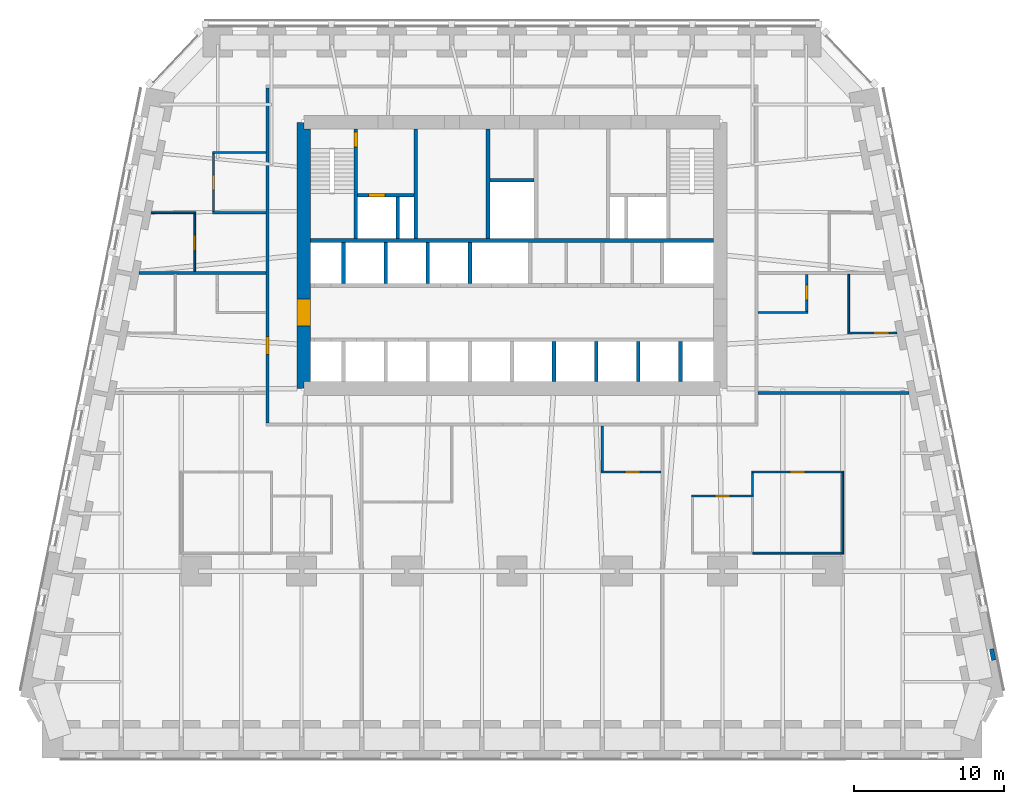
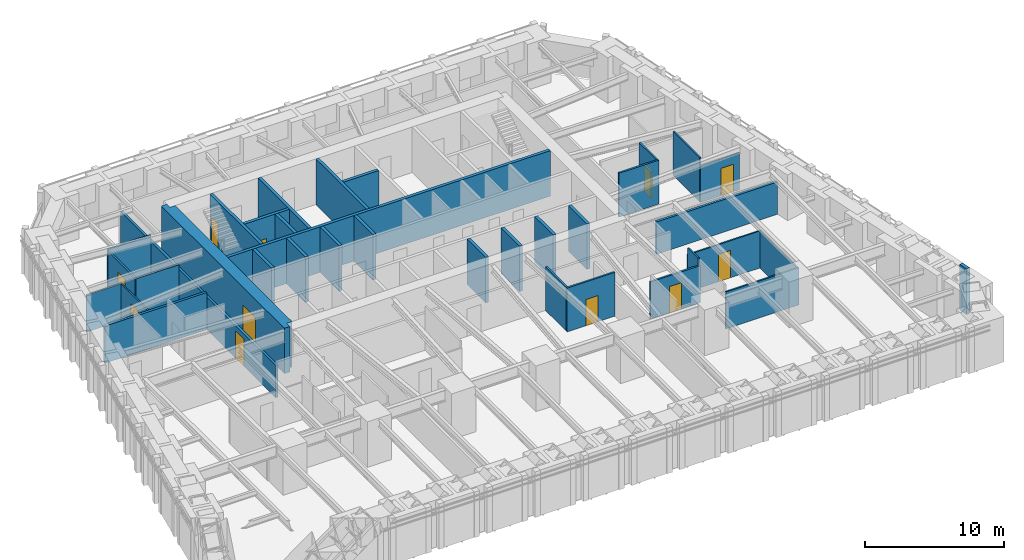
# One storey, part 13 of 16: 36 walls, 11 doors, 11 openings.
"""IFC4 building model written with IfcOpenShell, lengths in metres."""

from ifc_helpers import new_model, si_unit, direction, frame, frame_2d, origin, place, context, subcontext, project, spatial, polyline, rectangle, outline, extrude, material, layer, layer_set, type_object, element, fill, save


model = new_model("IFC4")

# Units and contexts
model_context = context("Model", 3, precision=1e-05, world=origin(), true_north=direction((0.0, 1.0)))
body_context = subcontext(model_context, "Body", "Model", "MODEL_VIEW")
ifc_project = project(units=[si_unit("LENGTHUNIT", "METRE"), si_unit("AREAUNIT", "SQUARE_METRE"), si_unit("VOLUMEUNIT", "CUBIC_METRE"), si_unit("PLANEANGLEUNIT", "RADIAN"), si_unit("MASSUNIT", "GRAM", prefix="KILO")], contexts=[model_context])

# Site, building, storey
site_placement = place(None, origin())
site = spatial("IfcSite", under=ifc_project, at=site_placement, CompositionType="ELEMENT")
building_placement = place(site_placement, origin())
building = spatial("IfcBuilding", under=site, at=building_placement, Name="Isbrekke Arena Tower", CompositionType="ELEMENT")
storey_placement = place(building_placement, frame((0.0, 0.0, 44.0)))
storey = spatial("IfcBuildingStorey", under=building, at=storey_placement, Name="L08", CompositionType="ELEMENT", Elevation=44.0)

# Wall, opening, door
ifc_material_1 = material(Name="Concrete B65 (C65/80)", Category="concrete")
ifc_layer_1 = layer(ifc_material_1, 0.89990234375)
ifc_layer_set_1 = layer_set([ifc_layer_1], Name="CW2 CORE WALL 900")
wall_type_1 = type_object("IfcWallType", Name="CW2 CORE WALL 900", PredefinedType="SHEAR", material=ifc_layer_set_1)
wall_1_placement = place(storey_placement, frame((-13.85009765625, 23.85009765625, 0.0), z_axis=(0.0, 0.0, 1.0), x_axis=(0.0, -1.0, 0.0)))
wall_1 = element("IfcWall", 1, at=wall_1_placement, inside=storey, type_object=wall_type_1, Name="Core wall W L08", PredefinedType="SHEAR", context=body_context, shape_type="SweptSolid", body=[
    extrude(outline(polyline([(0.0, -0.449951171875), (17.7001953125, -0.449951171875), (17.7001953125, 0.0), (17.250244140625, 0.0), (17.250244140625, 0.449951171875), (0.449951171875, 0.449951171875), (0.449951171875, 0.0), (0.0, 0.0), (0.0, -0.449951171875)])), origin(), (0.0, 0.0, 1.0), 4.0),
])
opening_1_placement = place(wall_1_placement, frame((11.75, 0.0, 0.0)))
opening_1 = element("IfcOpeningElement", 2, at=opening_1_placement, cuts=wall_1, Name="Opening D1", PredefinedType="OPENING", context=body_context, shape_type="SweptSolid", body=[
    extrude(rectangle(XDim=1.800048828125, YDim=2.39990234375, at=frame_2d((0.89990234375, 1.199951171875))), frame((0.0, 0.46484375, 0.0), z_axis=(0.0, -1.0, 0.0), x_axis=(1.0, 0.0, 0.0)), (0.0, 0.0, 1.0), 0.9296875),
])
ifc_material_2 = material(Name="Steel-framed glazed fire door", Category="steel")
door_type_1 = type_object("IfcDoorType", Name="D1 CORE LOBBY DOOR 1800 x 2400", OperationType="DOUBLE_DOOR_SINGLE_SWING", PredefinedType="DOOR", material=ifc_material_2)
door_1_placement = place(opening_1_placement, origin())
door_1 = element("IfcDoor", 3, at=door_1_placement, inside=storey, type_object=door_type_1, Name="D1 lift lobby door west L08", OperationType="DOUBLE_DOOR_SINGLE_SWING", OverallHeight=2.39990234375, OverallWidth=1.800048828125, PredefinedType="DOOR", context=body_context, shape_type="SweptSolid", body=[
    extrude(rectangle(XDim=1.800048828125, YDim=2.39990234375, at=frame_2d((0.89990234375, 1.199951171875))), frame((0.0, 0.44970703125, 0.0), z_axis=(0.0, -1.0, 0.0), x_axis=(1.0, 0.0, 0.0)), (0.0, 0.0, 1.0), 0.8994140625),
])
fill(opening_1, door_1)

# Walls
ifc_material_3 = material(Name="Concrete B45 (C45/55)", Category="concrete")
ifc_layer_2 = layer(ifc_material_3, 0.25)
ifc_layer_set_2 = layer_set([ifc_layer_2], Name="CW6 SHAFT WALL 250")
wall_type_2 = type_object("IfcWallType", Name="CW6 SHAFT WALL 250", PredefinedType="SHEAR", material=ifc_layer_set_2)
wall_2_placement = place(storey_placement, frame((-13.39990234375, 16.0, 0.0), z_axis=(0.0, 0.0, 1.0), x_axis=(1.0, 0.0, 0.0)))
element("IfcWall", 4, at=wall_2_placement, inside=storey, type_object=wall_type_2, Name="Core wall NB L08", PredefinedType="SHEAR", context=body_context, shape_type="SweptSolid", body=[
    extrude(rectangle(XDim=26.7998046875, YDim=0.25, at=frame_2d((13.39990234375, 0.0))), origin(), (0.0, 0.0, 1.0), 4.0),
])
for number, where, z_axis, x_axis, name in (
    (5, (2.800048828125, 6.60009765625, 0.0), (0.0, 0.0, 1.0), (0.0, 1.0, 0.0), "Core wall SS06 L08"),
    (6, (5.60009765625, 6.60009765625, 0.0), (0.0, 0.0, 1.0), (0.0, 1.0, 0.0), "Core wall SS07 L08"),
    (7, (8.39990234375, 6.60009765625, 0.0), (0.0, 0.0, 1.0), (0.0, 1.0, 0.0), "Core wall SS08 L08"),
    (8, (11.199951171875, 6.60009765625, 0.0), (0.0, 0.0, 1.0), (0.0, 1.0, 0.0), "Core wall SS09 L08"),
):
    element("IfcWall", number, at=place(storey_placement, frame(where, z_axis=z_axis, x_axis=x_axis)), inside=storey, type_object=wall_type_2, Name=name, PredefinedType="SHEAR", context=body_context, shape_type="SweptSolid", body=[
        extrude(rectangle(XDim=2.6748046875, YDim=0.25, at=frame_2d((1.33740234375, 0.0))), origin(), (0.0, 0.0, 1.0), 4.0),
    ])
for number, where, z_axis, x_axis, name in (
    (9, (-11.199951171875, 13.125, 0.0), (0.0, 0.0, 1.0), (0.0, 1.0, 0.0), "Core wall SN01 L08"),
    (10, (-8.39990234375, 13.125, 0.0), (0.0, 0.0, 1.0), (0.0, 1.0, 0.0), "Core wall SN02 L08"),
    (11, (-5.60009765625, 13.125, 0.0), (0.0, 0.0, 1.0), (0.0, 1.0, 0.0), "Core wall SN03 L08"),
    (12, (-2.800048828125, 13.125, 0.0), (0.0, 0.0, 1.0), (0.0, 1.0, 0.0), "Core wall SN04 L08"),
):
    element("IfcWall", number, at=place(storey_placement, frame(where, z_axis=z_axis, x_axis=x_axis)), inside=storey, type_object=wall_type_2, Name=name, PredefinedType="SHEAR", context=body_context, shape_type="SweptSolid", body=[
        extrude(rectangle(XDim=2.75, YDim=0.25, at=frame_2d((1.375, 0.0))), origin(), (0.0, 0.0, 1.0), 4.0),
    ])

# Wall, opening, door
wall_3_placement = place(storey_placement, frame((-10.39990234375, 16.125, 0.0), z_axis=(0.0, 0.0, 1.0), x_axis=(0.0, 1.0, 0.0)))
wall_3 = element("IfcWall", 13, at=wall_3_placement, inside=storey, type_object=wall_type_2, Name="Core wall NV01 L08", PredefinedType="SHEAR", context=body_context, shape_type="SweptSolid", body=[
    extrude(rectangle(XDim=7.27490234375, YDim=0.25, at=frame_2d((3.637451171875, 0.0))), origin(), (0.0, 0.0, 1.0), 4.0),
])
opening_2_placement = place(wall_3_placement, frame((6.074951171875, 0.0, 0.0)))
opening_2 = element("IfcOpeningElement", 14, at=opening_2_placement, cuts=wall_3, Name="Opening D2", PredefinedType="OPENING", context=body_context, shape_type="SweptSolid", body=[
    extrude(rectangle(XDim=1.0, YDim=2.10009765625, at=frame_2d((0.5, 1.050048828125))), frame((0.0, 0.139892578125, 0.0), z_axis=(0.0, -1.0, 0.0), x_axis=(1.0, 0.0, 0.0)), (0.0, 0.0, 1.0), 0.27978515625),
])
ifc_material_4 = material(Name="Steel fire door", Category="steel")
door_type_2 = type_object("IfcDoorType", Name="D2 STAIR DOOR 1000 x 2100", OperationType="SINGLE_SWING_LEFT", PredefinedType="DOOR", material=ifc_material_4)
door_2_placement = place(opening_2_placement, origin())
door_2 = element("IfcDoor", 15, at=door_2_placement, inside=storey, type_object=door_type_2, Name="D2 stair door ST1 L08", OperationType="SINGLE_SWING_LEFT", OverallHeight=2.10009765625, OverallWidth=1.0, PredefinedType="DOOR", context=body_context, shape_type="SweptSolid", body=[
    extrude(rectangle(XDim=1.0, YDim=2.10009765625, at=frame_2d((0.5, 1.050048828125))), frame((0.0, 0.124755859375, 0.0), z_axis=(0.0, -1.0, 0.0), x_axis=(1.0, 0.0, 0.0)), (0.0, 0.0, 1.0), 0.24951171875),
])
fill(opening_2, door_2)

# Walls
for number, where, z_axis, x_axis, name in (
    (16, (-6.39990234375, 16.125, 0.0), (0.0, 0.0, 1.0), (0.0, 1.0, 0.0), "Core wall NV02 L08"),
    (17, (-1.60009765625, 16.125, 0.0), (0.0, 0.0, 1.0), (0.0, 1.0, 0.0), "Core wall NV03 L08"),
):
    element("IfcWall", number, at=place(storey_placement, frame(where, z_axis=z_axis, x_axis=x_axis)), inside=storey, type_object=wall_type_2, Name=name, PredefinedType="SHEAR", context=body_context, shape_type="SweptSolid", body=[
        extrude(rectangle(XDim=7.27490234375, YDim=0.25, at=frame_2d((3.637451171875, 0.0))), origin(), (0.0, 0.0, 1.0), 4.0),
    ])

# Wall, opening, door
wall_4_placement = place(storey_placement, frame((-10.27490234375, 19.0, 0.0), z_axis=(0.0, 0.0, 1.0), x_axis=(1.0, 0.0, 0.0)))
wall_4 = element("IfcWall", 18, at=wall_4_placement, inside=storey, type_object=wall_type_2, Name="Core wall NFW L08", PredefinedType="SHEAR", context=body_context, shape_type="SweptSolid", body=[
    extrude(rectangle(XDim=3.75, YDim=0.25, at=frame_2d((1.875, 0.0))), origin(), (0.0, 0.0, 1.0), 4.0),
])
opening_3_placement = place(wall_4_placement, frame((0.72509765625, 0.0, 0.0)))
opening_3 = element("IfcOpeningElement", 19, at=opening_3_placement, cuts=wall_4, Name="Opening LD2", PredefinedType="OPENING", context=body_context, shape_type="SweptSolid", body=[
    extrude(rectangle(XDim=1.10009765625, YDim=2.10009765625, at=frame_2d((0.550048828125, 1.050048828125))), frame((0.0, 0.139892578125, 0.0), z_axis=(0.0, -1.0, 0.0), x_axis=(1.0, 0.0, 0.0)), (0.0, 0.0, 1.0), 0.27978515625),
])
ifc_material_5 = material(Name="Stainless steel lift landing door", Category="steel")
door_type_3 = type_object("IfcDoorType", Name="LD2 FIRE-FIGHTING LIFT LANDING DOOR 1100 x 2100", OperationType="SLIDING_TO_RIGHT", PredefinedType="DOOR", material=ifc_material_5)
door_3_placement = place(opening_3_placement, origin())
door_3 = element("IfcDoor", 20, at=door_3_placement, inside=storey, type_object=door_type_3, Name="LD2 lift landing door LF L08", OperationType="SLIDING_TO_RIGHT", OverallHeight=2.10009765625, OverallWidth=1.10009765625, PredefinedType="DOOR", context=body_context, shape_type="SweptSolid", body=[
    extrude(rectangle(XDim=1.10009765625, YDim=2.10009765625, at=frame_2d((0.550048828125, 1.050048828125))), frame((0.0, 0.124755859375, 0.0), z_axis=(0.0, -1.0, 0.0), x_axis=(1.0, 0.0, 0.0)), (0.0, 0.0, 1.0), 0.24951171875),
])
fill(opening_3, door_3)

# Walls
wall_5_placement = place(storey_placement, frame((-7.60009765625, 16.125, 0.0), z_axis=(0.0, 0.0, 1.0), x_axis=(0.0, 1.0, 0.0)))
element("IfcWall", 21, at=wall_5_placement, inside=storey, type_object=wall_type_2, Name="Core wall NFS1 L08", PredefinedType="SHEAR", context=body_context, shape_type="SweptSolid", body=[
    extrude(rectangle(XDim=2.75, YDim=0.25, at=frame_2d((1.375, 0.0))), origin(), (0.0, 0.0, 1.0), 4.0),
])
wall_6_placement = place(storey_placement, frame((-1.47509765625, 20.0, 0.0), z_axis=(0.0, 0.0, 1.0), x_axis=(1.0, 0.0, 0.0)))
element("IfcWall", 22, at=wall_6_placement, inside=storey, type_object=wall_type_2, Name="Core wall NWC L08", PredefinedType="SHEAR", context=body_context, shape_type="SweptSolid", body=[
    extrude(rectangle(XDim=2.9501953125, YDim=0.25, at=frame_2d((1.47509765625, 0.0))), origin(), (0.0, 0.0, 1.0), 4.0),
])
ifc_material_6 = material(Name="Insulated aluminium panel on steel framing", Category="steel")
ifc_layer_3 = layer(ifc_material_6, 0.300048828125)
ifc_layer_set_3 = layer_set([ifc_layer_3], Name="EW4 INSULATED PANEL WALL 300")
wall_type_3 = type_object("IfcWallType", Name="EW4 INSULATED PANEL WALL 300", PredefinedType="SOLIDWALL", material=ifc_layer_set_3)
wall_7_placement = place(storey_placement, frame((32.0380859375, -11.916259765625, 0.0), z_axis=(0.0, 0.0, 1.0), x_axis=(-0.195867092459, 0.980630451338, 0.0)))
element("IfcWall", 23, at=wall_7_placement, inside=storey, type_object=wall_type_3, Name="EW4 closure panel L08-E 1", PredefinedType="SOLIDWALL", context=body_context, shape_type="SweptSolid", body=[
    extrude(rectangle(XDim=0.754150390625, YDim=0.300048828125, at=frame_2d((0.376953125, 0.0))), origin(), (0.0, 0.0, 1.0), 4.0),
])

# Wall, opening, door
ifc_material_7 = material(Name="Gypsum board partition on steel studs", Category="steel")
ifc_layer_4 = layer(ifc_material_7, 0.14990234375)
ifc_layer_set_4 = layer_set([ifc_layer_4], Name="IW1 PARTITION 150")
wall_type_4 = type_object("IfcWallType", Name="IW1 PARTITION 150", PredefinedType="PARTITIONING", material=ifc_layer_set_4)
wall_8_placement = place(storey_placement, frame((11.925048828125, -1.0, 0.0), z_axis=(0.0, 0.0, 1.0), x_axis=(1.0, 0.0, 0.0)))
wall_8 = element("IfcWall", 24, at=wall_8_placement, inside=storey, type_object=wall_type_4, Name="IW1 partition 150 L08", PredefinedType="PARTITIONING", context=body_context, shape_type="SweptSolid", body=[
    extrude(rectangle(XDim=4.135009765625, YDim=0.14990234375, at=frame_2d((2.0673828125, 0.0))), origin(), (0.0, 0.0, 1.0), 3.25),
])
opening_4_placement = place(wall_8_placement, frame((1.574951171875, 0.0, 0.0)))
opening_4 = element("IfcOpeningElement", 25, at=opening_4_placement, cuts=wall_8, Name="Opening D10", PredefinedType="OPENING", context=body_context, shape_type="SweptSolid", body=[
    extrude(rectangle(XDim=1.0, YDim=2.300048828125, at=frame_2d((0.5, 1.14990234375))), frame((0.0, 0.08984375, 0.0), z_axis=(0.0, -1.0, 0.0), x_axis=(1.0, 0.0, 0.0)), (0.0, 0.0, 1.0), 0.1796875),
])
ifc_material_8 = material(Name="Timber door", Category="wood")
door_type_4 = type_object("IfcDoorType", Name="D10 OFFICE DOOR 1000 x 2300", OperationType="SINGLE_SWING_LEFT", PredefinedType="DOOR", material=ifc_material_8)
door_4_placement = place(opening_4_placement, origin())
door_4 = element("IfcDoor", 26, at=door_4_placement, inside=storey, type_object=door_type_4, Name="D10 tea point door L08", OperationType="SINGLE_SWING_LEFT", OverallHeight=2.300048828125, OverallWidth=1.0, PredefinedType="DOOR", context=body_context, shape_type="SweptSolid", body=[
    extrude(rectangle(XDim=1.0, YDim=2.300048828125, at=frame_2d((0.5, 1.14990234375))), frame((0.0, 0.07470703125, 0.0), z_axis=(0.0, -1.0, 0.0), x_axis=(1.0, 0.0, 0.0)), (0.0, 0.0, 1.0), 0.1494140625),
])
fill(opening_4, door_4)

wall_9_placement = place(storey_placement, frame((5.925048828125, 0.60009765625, 0.0), z_axis=(0.0, 0.0, 1.0), x_axis=(1.0, 0.0, 0.0)))
wall_9 = element("IfcWall", 27, at=wall_9_placement, inside=storey, type_object=wall_type_4, Name="IW1 partition 150 L08", PredefinedType="PARTITIONING", context=body_context, shape_type="SweptSolid", body=[
    extrude(rectangle(XDim=3.974853515625, YDim=0.14990234375, at=frame_2d((1.9873046875, 0.0))), origin(), (0.0, 0.0, 1.0), 3.85009765625),
])
opening_5_placement = place(wall_9_placement, frame((1.574951171875, 0.0, 0.0)))
opening_5 = element("IfcOpeningElement", 28, at=opening_5_placement, cuts=wall_9, Name="Opening D10", PredefinedType="OPENING", context=body_context, shape_type="SweptSolid", body=[
    extrude(rectangle(XDim=1.0, YDim=2.300048828125, at=frame_2d((0.5, 1.14990234375))), frame((0.0, 0.08984375, 0.0), z_axis=(0.0, -1.0, 0.0), x_axis=(1.0, 0.0, 0.0)), (0.0, 0.0, 1.0), 0.1796875),
])
door_5_placement = place(opening_5_placement, origin())
door_5 = element("IfcDoor", 29, at=door_5_placement, inside=storey, type_object=door_type_4, Name="D10 tea point door L08", OperationType="SINGLE_SWING_LEFT", OverallHeight=2.300048828125, OverallWidth=1.0, PredefinedType="DOOR", context=body_context, shape_type="SweptSolid", body=[
    extrude(rectangle(XDim=1.0, YDim=2.300048828125, at=frame_2d((0.5, 1.14990234375))), frame((0.0, 0.07470703125, 0.0), z_axis=(0.0, -1.0, 0.0), x_axis=(1.0, 0.0, 0.0)), (0.0, 0.0, 1.0), 0.1494140625),
])
fill(opening_5, door_5)

# Walls
wall_10_placement = place(storey_placement, frame((16.35009765625, 11.199951171875, 0.0), z_axis=(0.0, 0.0, 1.0), x_axis=(1.0, 0.0, 0.0)))
element("IfcWall", 30, at=wall_10_placement, inside=storey, type_object=wall_type_4, Name="IW1 partition 150 L08", PredefinedType="PARTITIONING", context=body_context, shape_type="SweptSolid", body=[
    extrude(rectangle(XDim=3.324951171875, YDim=0.14990234375, at=frame_2d((1.66259765625, 0.0))), origin(), (0.0, 0.0, 1.0), 3.85009765625),
])
wall_11_placement = place(storey_placement, frame((-19.925048828125, 17.840087890625, 0.0), z_axis=(0.0, 0.0, 1.0), x_axis=(1.0, 0.0, 0.0)))
element("IfcWall", 31, at=wall_11_placement, inside=storey, type_object=wall_type_4, Name="IW1 partition 150 L08", PredefinedType="PARTITIONING", context=body_context, shape_type="SweptSolid", body=[
    extrude(rectangle(XDim=3.574951171875, YDim=0.14990234375, at=frame_2d((1.78759765625, 0.0))), origin(), (0.0, 0.0, 1.0), 3.25),
])
wall_12_placement = place(storey_placement, frame((-19.925048828125, 21.840087890625, 0.0), z_axis=(0.0, 0.0, 1.0), x_axis=(1.0, 0.0, 0.0)))
element("IfcWall", 32, at=wall_12_placement, inside=storey, type_object=wall_type_4, Name="IW1 partition 150 L08", PredefinedType="PARTITIONING", context=body_context, shape_type="SweptSolid", body=[
    extrude(rectangle(XDim=3.574951171875, YDim=0.14990234375, at=frame_2d((1.78759765625, 0.0))), origin(), (0.0, 0.0, 1.0), 3.39990234375),
])

# Wall, opening, door
wall_13_placement = place(storey_placement, frame((-19.85009765625, 17.9150390625, 0.0), z_axis=(0.0, 0.0, 1.0), x_axis=(0.0, 1.0, 0.0)))
wall_13 = element("IfcWall", 33, at=wall_13_placement, inside=storey, type_object=wall_type_4, Name="IW1 partition 150 L08", PredefinedType="PARTITIONING", context=body_context, shape_type="SweptSolid", body=[
    extrude(rectangle(XDim=3.849853515625, YDim=0.14990234375, at=frame_2d((1.9248046875, 0.0))), origin(), (0.0, 0.0, 1.0), 3.25),
])
opening_6_placement = place(wall_13_placement, frame((1.425048828125, 0.0, 0.0)))
opening_6 = element("IfcOpeningElement", 34, at=opening_6_placement, cuts=wall_13, Name="Opening D10", PredefinedType="OPENING", context=body_context, shape_type="SweptSolid", body=[
    extrude(rectangle(XDim=1.0, YDim=2.300048828125, at=frame_2d((0.5, 1.14990234375))), frame((0.0, 0.08984375, 0.0), z_axis=(0.0, -1.0, 0.0), x_axis=(1.0, 0.0, 0.0)), (0.0, 0.0, 1.0), 0.1796875),
])
door_6_placement = place(opening_6_placement, origin())
door_6 = element("IfcDoor", 35, at=door_6_placement, inside=storey, type_object=door_type_4, Name="D10 tea point door L08", OperationType="SINGLE_SWING_LEFT", OverallHeight=2.300048828125, OverallWidth=1.0, PredefinedType="DOOR", context=body_context, shape_type="SweptSolid", body=[
    extrude(rectangle(XDim=1.0, YDim=2.300048828125, at=frame_2d((0.5, 1.14990234375))), frame((0.0, 0.07470703125, 0.0), z_axis=(0.0, -1.0, 0.0), x_axis=(1.0, 0.0, 0.0)), (0.0, 0.0, 1.0), 0.1494140625),
])
fill(opening_6, door_6)

# Wall
wall_14_placement = place(storey_placement, frame((6.0, 0.675048828125, 0.0), z_axis=(0.0, 0.0, 1.0), x_axis=(0.0, 1.0, 0.0)))
element("IfcWall", 36, at=wall_14_placement, inside=storey, type_object=wall_type_4, Name="IW1 partition 150 L08", PredefinedType="PARTITIONING", context=body_context, shape_type="SweptSolid", body=[
    extrude(rectangle(XDim=2.974853515625, YDim=0.14990234375, at=frame_2d((1.4873046875, 0.0))), origin(), (0.0, 0.0, 1.0), 3.85009765625),
])

# Wall, opening, door
wall_15_placement = place(storey_placement, frame((19.60009765625, 11.27490234375, 0.0), z_axis=(0.0, 0.0, 1.0), x_axis=(0.0, 1.0, 0.0)))
wall_15 = element("IfcWall", 37, at=wall_15_placement, inside=storey, type_object=wall_type_4, Name="IW1 partition 150 L08", PredefinedType="PARTITIONING", context=body_context, shape_type="SweptSolid", body=[
    extrude(rectangle(XDim=2.465087890625, YDim=0.14990234375, at=frame_2d((1.232421875, 0.0))), origin(), (0.0, 0.0, 1.0), 3.85009765625),
])
opening_7_placement = place(wall_15_placement, frame((0.7451171875, 0.0, 0.0)))
opening_7 = element("IfcOpeningElement", 38, at=opening_7_placement, cuts=wall_15, Name="Opening D10", PredefinedType="OPENING", context=body_context, shape_type="SweptSolid", body=[
    extrude(rectangle(XDim=1.0, YDim=2.300048828125, at=frame_2d((0.5, 1.14990234375))), frame((0.0, 0.08984375, 0.0), z_axis=(0.0, -1.0, 0.0), x_axis=(1.0, 0.0, 0.0)), (0.0, 0.0, 1.0), 0.1796875),
])
door_7_placement = place(opening_7_placement, origin())
door_7 = element("IfcDoor", 39, at=door_7_placement, inside=storey, type_object=door_type_4, Name="D10 tea point door L08", OperationType="SINGLE_SWING_LEFT", OverallHeight=2.300048828125, OverallWidth=1.0, PredefinedType="DOOR", context=body_context, shape_type="SweptSolid", body=[
    extrude(rectangle(XDim=1.0, YDim=2.300048828125, at=frame_2d((0.5, 1.14990234375))), frame((0.0, 0.07470703125, 0.0), z_axis=(0.0, -1.0, 0.0), x_axis=(1.0, 0.0, 0.0)), (0.0, 0.0, 1.0), 0.1494140625),
])
fill(opening_7, door_7)

# Wall
ifc_material_9 = material(Name="Frameless glazed partition, laminated acoustic glass", Category="glass")
ifc_layer_5 = layer(ifc_material_9, 0.1201171875)
ifc_layer_set_5 = layer_set([ifc_layer_5], Name="IW2 GLAZED PARTITION 120")
wall_type_5 = type_object("IfcWallType", Name="IW2 GLAZED PARTITION 120", PredefinedType="PARTITIONING", material=ifc_layer_set_5)
wall_16_placement = place(storey_placement, frame((16.0, -4.800048828125, 0.0), z_axis=(0.0, 0.0, 1.0), x_axis=(1.0, 0.0, 0.0)))
element("IfcWall", 40, at=wall_16_placement, inside=storey, type_object=wall_type_5, Name="IW2 glazed partition 120 L08", PredefinedType="PARTITIONING", context=body_context, shape_type="SweptSolid", body=[
    extrude(rectangle(XDim=6.06005859375, YDim=0.1201171875, at=frame_2d((3.030029296875, 0.0))), origin(), (0.0, 0.0, 1.0), 3.25),
])

# Wall, opening, door
wall_17_placement = place(storey_placement, frame((15.93994140625, 0.60009765625, 0.0), z_axis=(0.0, 0.0, 1.0), x_axis=(1.0, 0.0, 0.0)))
wall_17 = element("IfcWall", 41, at=wall_17_placement, inside=storey, type_object=wall_type_5, Name="IW2 glazed partition 120 L08", PredefinedType="PARTITIONING", context=body_context, shape_type="SweptSolid", body=[
    extrude(rectangle(XDim=6.1201171875, YDim=0.1201171875, at=frame_2d((3.06005859375, 0.0))), origin(), (0.0, 0.0, 1.0), 3.25),
])
opening_8_placement = place(wall_17_placement, frame((2.56005859375, 0.0, 0.0)))
opening_8 = element("IfcOpeningElement", 42, at=opening_8_placement, cuts=wall_17, Name="Opening D11", PredefinedType="OPENING", context=body_context, shape_type="SweptSolid", body=[
    extrude(rectangle(XDim=1.0, YDim=2.39990234375, at=frame_2d((0.5, 1.199951171875))), frame((0.0, 0.074951171875, 0.0), z_axis=(0.0, -1.0, 0.0), x_axis=(1.0, 0.0, 0.0)), (0.0, 0.0, 1.0), 0.14990234375),
])
ifc_material_10 = material(Name="Frameless glazed door", Category="glass")
door_type_5 = type_object("IfcDoorType", Name="D11 GLAZED MEETING ROOM DOOR 1000 x 2400", OperationType="SINGLE_SWING_RIGHT", PredefinedType="DOOR", material=ifc_material_10)
door_8_placement = place(opening_8_placement, origin())
door_8 = element("IfcDoor", 43, at=door_8_placement, inside=storey, type_object=door_type_5, Name="D11 meeting room door L08", OperationType="SINGLE_SWING_RIGHT", OverallHeight=2.39990234375, OverallWidth=1.0, PredefinedType="DOOR", context=body_context, shape_type="SweptSolid", body=[
    extrude(rectangle(XDim=1.0, YDim=2.39990234375, at=frame_2d((0.5, 1.199951171875))), frame((0.0, 0.059814453125, 0.0), z_axis=(0.0, -1.0, 0.0), x_axis=(1.0, 0.0, 0.0)), (0.0, 0.0, 1.0), 0.11962890625),
])
fill(opening_8, door_8)

wall_18_placement = place(storey_placement, frame((22.340087890625, 9.840087890625, 0.0), z_axis=(0.0, 0.0, 1.0), x_axis=(1.0, 0.0, 0.0)))
wall_18 = element("IfcWall", 44, at=wall_18_placement, inside=storey, type_object=wall_type_5, Name="IW2 glazed partition 120 L08", PredefinedType="PARTITIONING", context=body_context, shape_type="SweptSolid", body=[
    extrude(rectangle(XDim=3.25634765625, YDim=0.1201171875, at=frame_2d((1.628173828125, 0.0))), origin(), (0.0, 0.0, 1.0), 3.25),
])
opening_9_placement = place(wall_18_placement, frame((1.718994140625, 0.0, 0.0)))
opening_9 = element("IfcOpeningElement", 45, at=opening_9_placement, cuts=wall_18, Name="Opening D11", PredefinedType="OPENING", context=body_context, shape_type="SweptSolid", body=[
    extrude(rectangle(XDim=1.0, YDim=2.39990234375, at=frame_2d((0.5, 1.199951171875))), frame((0.0, 0.074951171875, 0.0), z_axis=(0.0, -1.0, 0.0), x_axis=(1.0, 0.0, 0.0)), (0.0, 0.0, 1.0), 0.14990234375),
])
door_9_placement = place(opening_9_placement, origin())
door_9 = element("IfcDoor", 46, at=door_9_placement, inside=storey, type_object=door_type_5, Name="D11 meeting room door L08", OperationType="SINGLE_SWING_RIGHT", OverallHeight=2.39990234375, OverallWidth=1.0, PredefinedType="DOOR", context=body_context, shape_type="SweptSolid", body=[
    extrude(rectangle(XDim=1.0, YDim=2.39990234375, at=frame_2d((0.5, 1.199951171875))), frame((0.0, 0.059814453125, 0.0), z_axis=(0.0, -1.0, 0.0), x_axis=(1.0, 0.0, 0.0)), (0.0, 0.0, 1.0), 0.11962890625),
])
fill(opening_9, door_9)

# Wall
wall_19_placement = place(storey_placement, frame((-23.996337890625, 17.840087890625, 0.0), z_axis=(0.0, 0.0, 1.0), x_axis=(1.0, 0.0, 0.0)))
element("IfcWall", 47, at=wall_19_placement, inside=storey, type_object=wall_type_5, Name="IW2 glazed partition 120 L08", PredefinedType="PARTITIONING", context=body_context, shape_type="SweptSolid", body=[
    extrude(rectangle(XDim=2.956298828125, YDim=0.1201171875, at=frame_2d((1.47802734375, 0.0))), origin(), (0.0, 0.0, 1.0), 3.25),
])

# Wall, opening, door
wall_20_placement = place(storey_placement, frame((-21.10009765625, 13.93994140625, 0.0), z_axis=(0.0, 0.0, 1.0), x_axis=(0.0, 1.0, 0.0)))
wall_20 = element("IfcWall", 48, at=wall_20_placement, inside=storey, type_object=wall_type_5, Name="IW2 glazed partition 120 L08", PredefinedType="PARTITIONING", context=body_context, shape_type="SweptSolid", body=[
    extrude(rectangle(XDim=3.840087890625, YDim=0.1201171875, at=frame_2d((1.919921875, 0.0))), origin(), (0.0, 0.0, 1.0), 3.25),
])
opening_10_placement = place(wall_20_placement, frame((1.39990234375, 0.0, 0.0)))
opening_10 = element("IfcOpeningElement", 49, at=opening_10_placement, cuts=wall_20, Name="Opening D11", PredefinedType="OPENING", context=body_context, shape_type="SweptSolid", body=[
    extrude(rectangle(XDim=1.0, YDim=2.39990234375, at=frame_2d((0.5, 1.199951171875))), frame((0.0, 0.074951171875, 0.0), z_axis=(0.0, -1.0, 0.0), x_axis=(1.0, 0.0, 0.0)), (0.0, 0.0, 1.0), 0.14990234375),
])
door_10_placement = place(opening_10_placement, origin())
door_10 = element("IfcDoor", 50, at=door_10_placement, inside=storey, type_object=door_type_5, Name="D11 meeting room door L08", OperationType="SINGLE_SWING_RIGHT", OverallHeight=2.39990234375, OverallWidth=1.0, PredefinedType="DOOR", context=body_context, shape_type="SweptSolid", body=[
    extrude(rectangle(XDim=1.0, YDim=2.39990234375, at=frame_2d((0.5, 1.199951171875))), frame((0.0, 0.059814453125, 0.0), z_axis=(0.0, -1.0, 0.0), x_axis=(1.0, 0.0, 0.0)), (0.0, 0.0, 1.0), 0.11962890625),
])
fill(opening_10, door_10)

# Walls
wall_21_placement = place(storey_placement, frame((16.0, -0.925048828125, 0.0), z_axis=(0.0, 0.0, 1.0), x_axis=(0.0, 1.0, 0.0)))
element("IfcWall", 51, at=wall_21_placement, inside=storey, type_object=wall_type_5, Name="IW2 glazed partition 120 L08", PredefinedType="PARTITIONING", context=body_context, shape_type="SweptSolid", body=[
    extrude(rectangle(XDim=1.465087890625, YDim=0.1201171875, at=frame_2d((0.732421875, 0.0))), origin(), (0.0, 0.0, 1.0), 3.85009765625),
])
wall_22_placement = place(storey_placement, frame((22.0, -4.739990234375, 0.0), z_axis=(0.0, 0.0, 1.0), x_axis=(0.0, 1.0, 0.0)))
element("IfcWall", 52, at=wall_22_placement, inside=storey, type_object=wall_type_5, Name="IW2 glazed partition 120 L08", PredefinedType="PARTITIONING", context=body_context, shape_type="SweptSolid", body=[
    extrude(rectangle(XDim=5.280029296875, YDim=0.1201171875, at=frame_2d((2.64013671875, 0.0))), origin(), (0.0, 0.0, 1.0), 3.25),
])
wall_23_placement = place(storey_placement, frame((22.39990234375, 9.89990234375, 0.0), z_axis=(0.0, 0.0, 1.0), x_axis=(0.0, 1.0, 0.0)))
element("IfcWall", 53, at=wall_23_placement, inside=storey, type_object=wall_type_5, Name="IW2 glazed partition 120 L08", PredefinedType="PARTITIONING", context=body_context, shape_type="SweptSolid", body=[
    extrude(rectangle(XDim=3.840087890625, YDim=0.1201171875, at=frame_2d((1.919921875, 0.0))), origin(), (0.0, 0.0, 1.0), 3.85009765625),
])
ifc_material_11 = material(Name="Gypsum board fire-cell wall on steel studs, two layers each side", Category="steel")
ifc_layer_6 = layer(ifc_material_11, 0.199951171875)
ifc_layer_set_6 = layer_set([ifc_layer_6], Name="IW3 FIRE-CELL WALL 200")
wall_type_6 = type_object("IfcWallType", Name="IW3 FIRE-CELL WALL 200", PredefinedType="PARTITIONING", material=ifc_layer_set_6)
wall_24_placement = place(storey_placement, frame((16.35009765625, 5.840087890625, 0.0), z_axis=(0.0, 0.0, 1.0), x_axis=(1.0, 0.0, 0.0)))
element("IfcWall", 54, at=wall_24_placement, inside=storey, type_object=wall_type_6, Name="IW3 fire-cell wall 200 L08", PredefinedType="PARTITIONING", context=body_context, shape_type="SweptSolid", body=[
    extrude(rectangle(XDim=10.04638671875, YDim=0.199951171875, at=frame_2d((5.023193359375, 0.0))), origin(), (0.0, 0.0, 1.0), 2.842041015625),
])
wall_25_placement = place(storey_placement, frame((-24.79638671875, 13.840087890625, 0.0), z_axis=(0.0, 0.0, 1.0), x_axis=(1.0, 0.0, 0.0)))
element("IfcWall", 55, at=wall_25_placement, inside=storey, type_object=wall_type_6, Name="IW3 fire-cell wall 200 L08", PredefinedType="PARTITIONING", context=body_context, shape_type="SweptSolid", body=[
    extrude(rectangle(XDim=8.4462890625, YDim=0.199951171875, at=frame_2d((4.22314453125, 0.0))), origin(), (0.0, 0.0, 1.0), 3.25),
])

# Wall, opening, door
wall_26_placement = place(storey_placement, frame((-16.25, 3.85009765625, 0.0), z_axis=(0.0, 0.0, 1.0), x_axis=(0.0, 1.0, 0.0)))
wall_26 = element("IfcWall", 56, at=wall_26_placement, inside=storey, type_object=wall_type_6, Name="IW3 fire-cell wall 200 L08", PredefinedType="PARTITIONING", context=body_context, shape_type="SweptSolid", body=[
    extrude(rectangle(XDim=22.2998046875, YDim=0.199951171875, at=frame_2d((11.14990234375, 0.0))), origin(), (0.0, 0.0, 1.0), 2.842041015625),
])
opening_11_placement = place(wall_26_placement, frame((4.550048828125, 0.0, 0.0)))
opening_11 = element("IfcOpeningElement", 57, at=opening_11_placement, cuts=wall_26, Name="Opening D12", PredefinedType="OPENING", context=body_context, shape_type="SweptSolid", body=[
    extrude(rectangle(XDim=1.199951171875, YDim=2.39990234375, at=frame_2d((0.60009765625, 1.199951171875))), frame((0.0, 0.11474609375, 0.0), z_axis=(0.0, -1.0, 0.0), x_axis=(1.0, 0.0, 0.0)), (0.0, 0.0, 1.0), 0.229736328125),
])
ifc_material_12 = material(Name="Timber fire door with vision panel", Category="wood")
door_type_6 = type_object("IfcDoorType", Name="D12 SUITE ENTRANCE DOOR 1200 x 2400", OperationType="SINGLE_SWING_LEFT", PredefinedType="DOOR", material=ifc_material_12)
door_11_placement = place(opening_11_placement, origin())
door_11 = element("IfcDoor", 58, at=door_11_placement, inside=storey, type_object=door_type_6, Name="D12 suite entrance W door L08", OperationType="SINGLE_SWING_LEFT", OverallHeight=2.39990234375, OverallWidth=1.199951171875, PredefinedType="DOOR", context=body_context, shape_type="SweptSolid", body=[
    extrude(rectangle(XDim=1.199951171875, YDim=2.39990234375, at=frame_2d((0.60009765625, 1.199951171875))), frame((0.0, 0.099609375, 0.0), z_axis=(0.0, -1.0, 0.0), x_axis=(1.0, 0.0, 0.0)), (0.0, 0.0, 1.0), 0.199462890625),
])
fill(opening_11, door_11)

save(model, "model.ifc")
